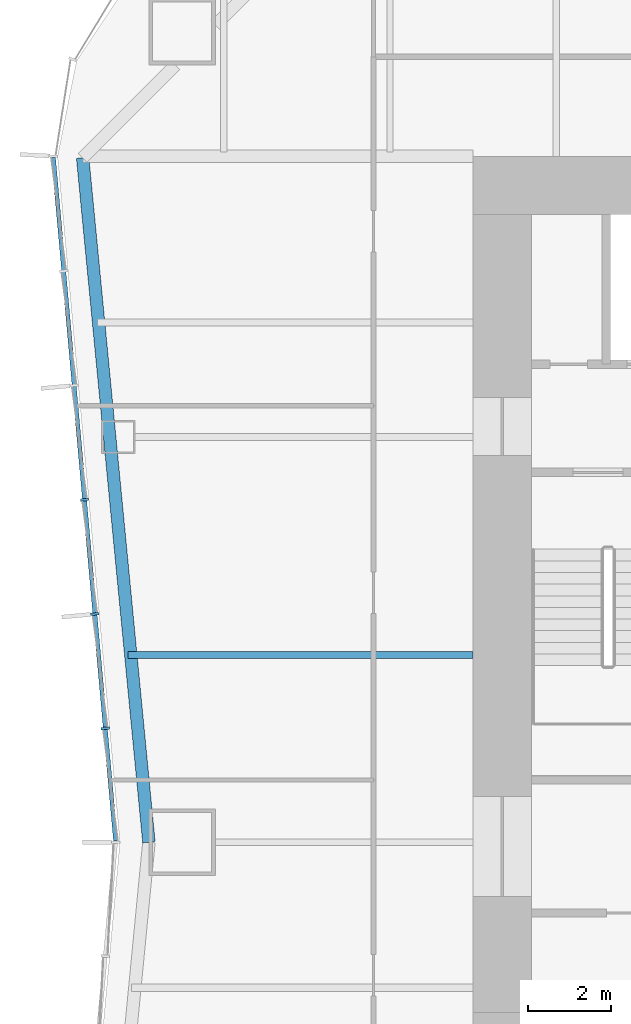
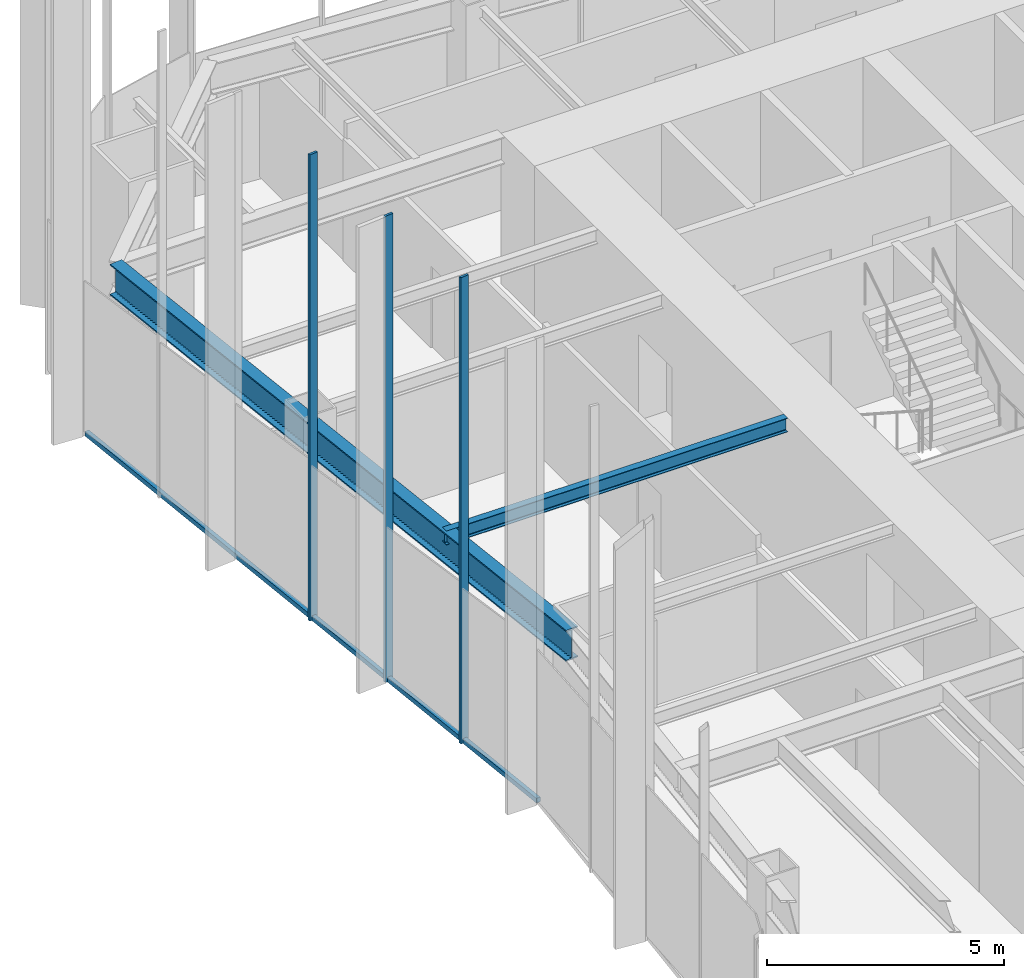
# One storey, part 3 of 13: 4 members, 2 beams, 1 element without a shape of its own.
"""IFC4 building model written with IfcOpenShell, lengths in metres."""

from ifc_helpers import new_model, si_unit, direction, frame, origin, origin_2d, place, context, subcontext, project, spatial, rectangle, i_section, extrude, material, material_profile, profile_set, type_object, element, aggregate, save


model = new_model("IFC4")

# Units and contexts
model_context = context("Model", 3, precision=1e-05, world=origin(), true_north=direction((0.0, 1.0)))
body_context = subcontext(model_context, "Body", "Model", "MODEL_VIEW")
ifc_project = project(units=[si_unit("LENGTHUNIT", "METRE"), si_unit("AREAUNIT", "SQUARE_METRE"), si_unit("VOLUMEUNIT", "CUBIC_METRE"), si_unit("PLANEANGLEUNIT", "RADIAN"), si_unit("MASSUNIT", "GRAM", prefix="KILO")], contexts=[model_context])

# Site, building, storey
site_placement = place(None, origin())
site = spatial("IfcSite", under=ifc_project, at=site_placement, CompositionType="ELEMENT")
building_placement = place(site_placement, origin())
building = spatial("IfcBuilding", under=site, at=building_placement, Name="Verdant Reach Tower", CompositionType="ELEMENT")
storey_placement = place(building_placement, frame((0.0, 0.0, 38.0)))
storey = spatial("IfcBuildingStorey", under=building, at=storey_placement, Name="L08", CompositionType="ELEMENT", Elevation=38.0)

# Curtain wall, members
ifc_material_1 = material(Name="Anodised aluminium", Category="aluminium")
curtain_wall_type = type_object("IfcCurtainWallType", Name="EN-CW SYSTEM Z0", PredefinedType="NOTDEFINED", material=ifc_material_1)
curtain_wall_placement = place(storey_placement, origin())
curtain_wall = element("IfcCurtainWall", 1, at=curtain_wall_placement, inside=storey, type_object=curtain_wall_type, Name="Curtain wall west, L08", PredefinedType="NOTDEFINED")
ifc_material_profile_1 = material_profile(ifc_material_1, rectangle(XDim=0.199951171875, YDim=0.06005859375, at=origin_2d()), Name="Mullion 60x200")
ifc_profile_set_1 = profile_set([ifc_material_profile_1], Name="Anodised aluminium")
member_type_1 = type_object("IfcMemberType", Name="EN-MULLION Z0", PredefinedType="MULLION", material=ifc_profile_set_1)
member_1_placement = place(storey_placement, frame((-23.349609375, 30.740966796875, -0.35009765625), z_axis=(0.0, 0.0, 1.0), x_axis=(-0.995893206467, -0.090535746047, 0.0)))
member_1 = element("IfcMember", 2, at=member_1_placement, type_object=member_type_1, Name="Mullion west face part 1 4, L08", PredefinedType="MULLION", context=body_context, shape_type="SweptSolid", body=[
    extrude(rectangle(XDim=0.199951171875, YDim=0.06005859375, at=origin_2d()), origin(), (0.0, 0.0, 1.0), 12.0),
])
member_2_placement = place(storey_placement, frame((-23.099609375, 27.990966796875, -0.35009765625), z_axis=(0.0, 0.0, 1.0), x_axis=(-0.995893206467, -0.090535746047, 0.0)))
member_2 = element("IfcMember", 3, at=member_2_placement, type_object=member_type_1, Name="Mullion west face part 1 5, L08", PredefinedType="MULLION", context=body_context, shape_type="SweptSolid", body=[
    extrude(rectangle(XDim=0.199951171875, YDim=0.06005859375, at=origin_2d()), origin(), (0.0, 0.0, 1.0), 12.0),
])
member_3_placement = place(storey_placement, frame((-22.849609375, 25.240966796875, -0.35009765625), z_axis=(0.0, 0.0, 1.0), x_axis=(-0.995893206467, -0.090535746047, 0.0)))
member_3 = element("IfcMember", 4, at=member_3_placement, type_object=member_type_1, Name="Mullion west face part 1 6, L08", PredefinedType="MULLION", context=body_context, shape_type="SweptSolid", body=[
    extrude(rectangle(XDim=0.199951171875, YDim=0.06005859375, at=origin_2d()), origin(), (0.0, 0.0, 1.0), 12.0),
])
ifc_material_profile_2 = material_profile(ifc_material_1, rectangle(XDim=0.10009765625, YDim=0.1201171875, at=origin_2d()), Name="Transom 120x100")
ifc_profile_set_2 = profile_set([ifc_material_profile_2], Name="Anodised aluminium")
member_type_2 = type_object("IfcMemberType", Name="EN-TRANSOM Z0", PredefinedType="USERDEFINED", material=ifc_profile_set_2)
member_4_placement = place(storey_placement, frame((-24.09716796875, 38.975341796875, -0.2900390625), z_axis=(0.090495755184, -0.995896841191, 0.0), x_axis=(0.995896841191, 0.090495755184, 0.0)))
member_4 = element("IfcMember", 5, at=member_4_placement, type_object=member_type_2, Name="Transom west face part 1 1.1, L08", ObjectType="TRANSOM", PredefinedType="USERDEFINED", context=body_context, shape_type="SweptSolid", body=[
    extrude(rectangle(XDim=0.10009765625, YDim=0.1201171875, at=origin_2d()), origin(), (0.0, 0.0, 1.0), 16.513427734375),
])
aggregate(curtain_wall, [member_1, member_2, member_3, member_4])

# Beams
ifc_material_2 = material(Name="Steel S355", Category="steel")
ifc_material_profile_3 = material_profile(ifc_material_2, i_section(OverallWidth=0.169921875, OverallDepth=0.360107421875, WebThickness=0.008056640625, FlangeThickness=0.0126953125, FilletRadius=0.01806640625, at=origin_2d()), Name="IPE 360")
ifc_profile_set_3 = profile_set([ifc_material_profile_3], Name="Steel S355")
beam_type_1 = type_object("IfcBeamType", Name="ST-JOIST-IPE360", PredefinedType="JOIST", material=ifc_profile_set_3)
beam_1_placement = place(storey_placement, frame((-14.0, 27.0, 3.68994140625), z_axis=(-1.0, 0.0, 0.0), x_axis=(0.0, -1.0, 0.0)))
element("IfcBeam", 6, at=beam_1_placement, inside=storey, type_object=beam_type_1, Name="Floor joist, L08", PredefinedType="JOIST", context=body_context, shape_type="SweptSolid", body=[
    extrude(i_section(OverallWidth=0.169921875, OverallDepth=0.360107421875, WebThickness=0.008056640625, FlangeThickness=0.0126953125, FilletRadius=0.01806640625, at=origin_2d()), origin(), (0.0, 0.0, 1.0), 8.306640625),
])
ifc_material_profile_4 = material_profile(ifc_material_2, i_section(OverallWidth=0.300048828125, OverallDepth=0.800048828125, WebThickness=0.017578125, FlangeThickness=0.032958984375, FilletRadius=0.030029296875, at=origin_2d()), Name="HEB 800")
ifc_profile_set_4 = profile_set([ifc_material_profile_4], Name="Steel S355")
beam_type_2 = type_object("IfcBeamType", Name="ST-SPANDREL-HEB800", PredefinedType="SPANDREL", material=ifc_profile_set_4)
beam_2_placement = place(storey_placement, frame((-21.800048828125, 22.5, 3.469970703125), z_axis=(-0.096372296695, 0.995345357366, 0.0), x_axis=(-0.995345357366, -0.096372296695, 0.0)))
element("IfcBeam", 7, at=beam_2_placement, inside=storey, type_object=beam_type_2, Name="Edge beam, L08", PredefinedType="SPANDREL", context=body_context, shape_type="SweptSolid", body=[
    extrude(i_section(OverallWidth=0.300048828125, OverallDepth=0.800048828125, WebThickness=0.017578125, FlangeThickness=0.032958984375, FilletRadius=0.030029296875, at=origin_2d()), origin(), (0.0, 0.0, 1.0), 16.544921875),
])

save(model, "model.ifc")
